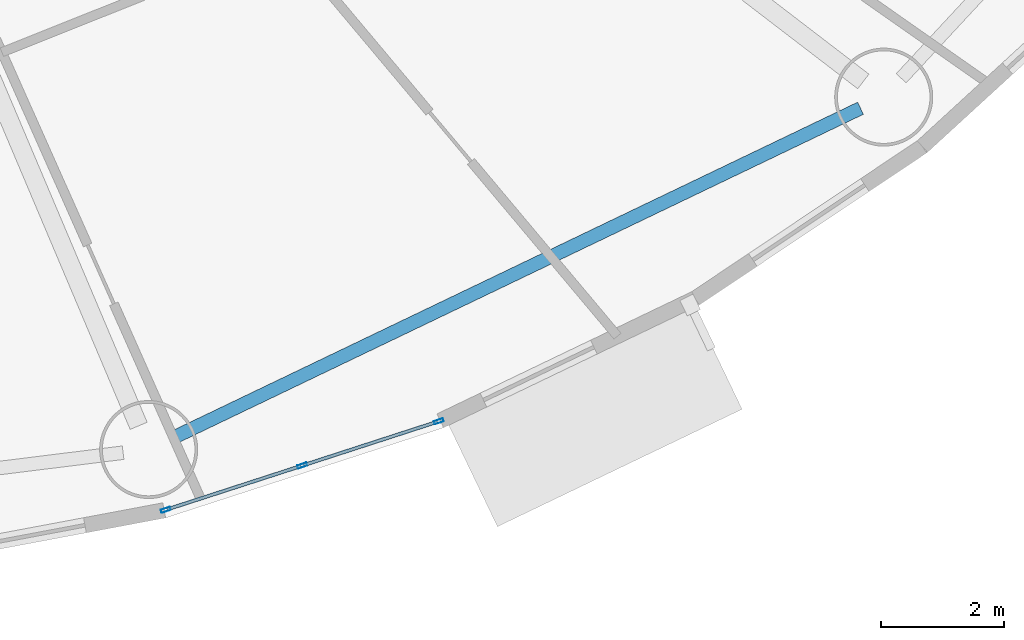
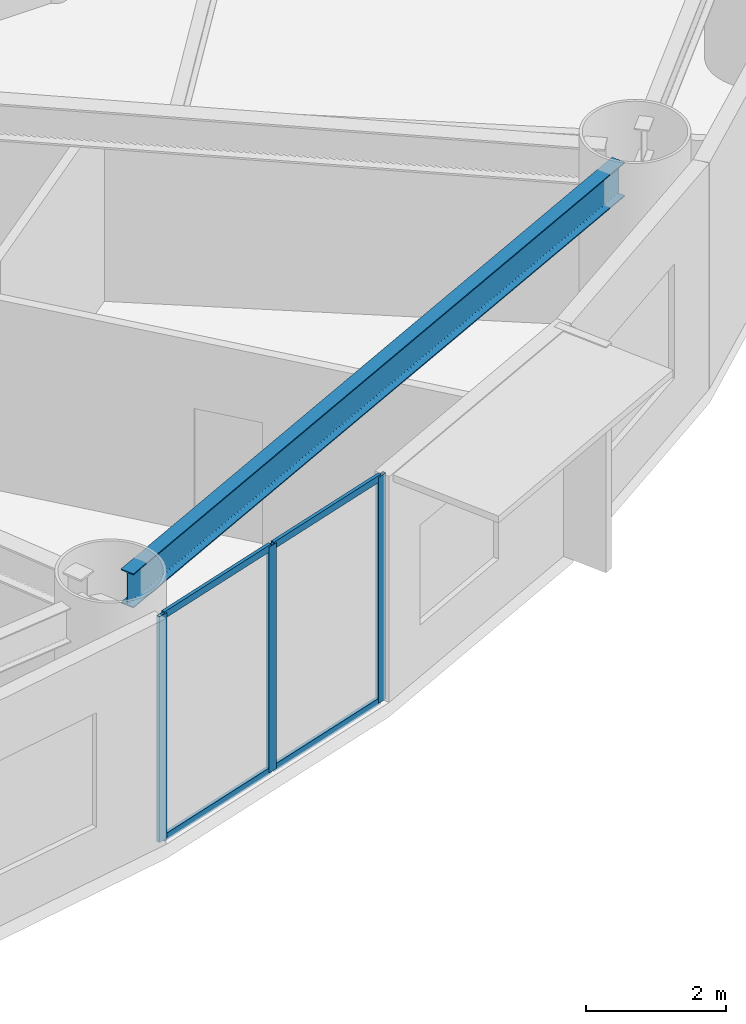
# One storey, part 6 of 28: 7 members, 1 beam, 1 element without a shape of its own.
"""IFC4 building model written with IfcOpenShell, lengths in metres."""

from ifc_helpers import new_model, si_unit, direction, frame, origin, origin_2d, place, context, subcontext, project, spatial, hollow_rectangle, i_section, extrude, source, transform, mapped, material, layer, layer_set, material_profile, profile_set, type_object, element, aggregate, save


model = new_model("IFC4")

# Units and contexts
model_context = context("Model", 3, precision=1e-05, world=origin(), true_north=direction((0.0, 1.0)))
body_context = subcontext(model_context, "Body", "Model", "MODEL_VIEW")
ifc_project = project(units=[si_unit("LENGTHUNIT", "METRE"), si_unit("AREAUNIT", "SQUARE_METRE"), si_unit("VOLUMEUNIT", "CUBIC_METRE"), si_unit("PLANEANGLEUNIT", "RADIAN"), si_unit("MASSUNIT", "GRAM", prefix="KILO")], contexts=[model_context])

# Site, building, storey
site_placement = place(None, origin())
site = spatial("IfcSite", under=ifc_project, at=site_placement, CompositionType="ELEMENT")
building_placement = place(site_placement, origin())
building = spatial("IfcBuilding", under=site, at=building_placement, Name="Linh Dai School and Residence Tower", CompositionType="ELEMENT")
storey_placement = place(building_placement, frame((0.0, 0.0, 36.60009765625)))
storey = spatial("IfcBuildingStorey", under=building, at=storey_placement, Name="L08", CompositionType="ELEMENT", Elevation=36.60009765625)

# Beam
ifc_material_1 = material(Name="Structural Steel S355JR", Category="steel")
ifc_material_profile_1 = material_profile(ifc_material_1, i_section(OverallWidth=0.219970703125, OverallDepth=0.60009765625, WebThickness=0.011962890625, FlangeThickness=0.01904296875, FilletRadius=0.02392578125, at=origin_2d()), Name="IPE 600")
ifc_profile_set_1 = profile_set([ifc_material_profile_1], Name="Structural Steel S355JR")
beam_type = type_object("IfcBeamType", Name="BM-RB60", PredefinedType="BEAM", material=ifc_profile_set_1)
beam_placement = place(storey_placement, frame((45.736572265625, 5.061767578125, 3.64990234375), z_axis=(0.901728693485, 0.432302398034, 0.0), x_axis=(-0.432302398034, 0.901728693485, 0.0)))
element("IfcBeam", 1, at=beam_placement, inside=storey, type_object=beam_type, Name="L08 Perimeter Elliptical Ring Beam 14", PredefinedType="BEAM", context=body_context, shape_type="SweptSolid", body=[
    extrude(i_section(OverallWidth=0.219970703125, OverallDepth=0.60009765625, WebThickness=0.011962890625, FlangeThickness=0.01904296875, FilletRadius=0.02392578125, at=origin_2d()), origin(), (0.0, 0.0, 1.0), 12.462158203125),
])

# Curtain wall, members
ifc_material_2 = material(Name="Aluminium Anodised Curtain Wall", Category="aluminium")
ifc_layer = layer(ifc_material_2, 0.159912109375)
ifc_layer_set = layer_set([ifc_layer], Name="Aluminium Anodised Curtain Wall")
curtain_wall_type = type_object("IfcCurtainWallType", Name="CW-SYS-3", PredefinedType="USERDEFINED", material=ifc_layer_set)
curtain_wall_placement = place(storey_placement, origin())
curtain_wall = element("IfcCurtainWall", 2, at=curtain_wall_placement, inside=storey, type_object=curtain_wall_type, Name="L08 CW3 Curtain Wall 33", ObjectType="RIBBON CURTAIN WALL", PredefinedType="USERDEFINED")
ifc_material_3 = material(Name="Aluminium Alloy 6063-T6", Category="aluminium")
ifc_material_profile_2 = material_profile(ifc_material_3, hollow_rectangle(XDim=0.054931640625, YDim=0.1201171875, WallThickness=0.00390625, at=origin_2d()), Name="RHS 120x55x4")
ifc_profile_set_2 = profile_set([ifc_material_profile_2], Name="Aluminium Alloy 6063-T6")
member_type_1 = type_object("IfcMemberType", Name="CW-SYS-3-TRN", PredefinedType="USERDEFINED", material=ifc_profile_set_2)
shared_shape_1 = source(origin(), body_context, "Body", "SweptSolid", [
    extrude(hollow_rectangle(XDim=0.054931640625, YDim=0.1201171875, WallThickness=0.00390625, at=origin_2d()), origin(), (0.0, 0.0, 1.0), 2.286865234375),
])
member_1_placement = place(storey_placement, frame((50.06591796875, 5.331787109375, 0.02734375), z_axis=(-0.951214351328, -0.308530805313, 0.0), x_axis=(0.308530805313, -0.951214351328, 0.0)))
member_1 = element("IfcMember", 3, at=member_1_placement, type_object=member_type_1, Name="CW3 transom 1.1", ObjectType="TRANSOM", PredefinedType="USERDEFINED", context=body_context, shape_type="MappedRepresentation", body=[
    mapped(shared_shape_1, transform((0.0, 0.0, 0.0), x_axis=(1.0, 0.0, 0.0), y_axis=(0.0, 1.0, 0.0), z_axis=(0.0, 0.0, 1.0), scale=1.0)),
])
member_2_placement = place(storey_placement, frame((50.06591796875, 5.331787109375, 3.92236328125), z_axis=(-0.951214351328, -0.308530805313, 0.0), x_axis=(0.308530805313, -0.951214351328, 0.0)))
member_2 = element("IfcMember", 4, at=member_2_placement, type_object=member_type_1, Name="CW3 transom 1.2", ObjectType="TRANSOM", PredefinedType="USERDEFINED", context=body_context, shape_type="MappedRepresentation", body=[
    mapped(shared_shape_1, transform((0.0, 0.0, 0.0), x_axis=(1.0, 0.0, 0.0), y_axis=(0.0, 1.0, 0.0), z_axis=(0.0, 0.0, 1.0), scale=1.0)),
])
member_3_placement = place(storey_placement, frame((47.838134765625, 4.609375, 0.02734375), z_axis=(-0.951214351328, -0.308530805313, 0.0), x_axis=(0.308530805313, -0.951214351328, 0.0)))
member_3 = element("IfcMember", 5, at=member_3_placement, type_object=member_type_1, Name="CW3 transom 2.1", ObjectType="TRANSOM", PredefinedType="USERDEFINED", context=body_context, shape_type="MappedRepresentation", body=[
    mapped(shared_shape_1, transform((0.0, 0.0, 0.0), x_axis=(1.0, 0.0, 0.0), y_axis=(0.0, 1.0, 0.0), z_axis=(0.0, 0.0, 1.0), scale=1.0)),
])
member_4_placement = place(storey_placement, frame((47.838134765625, 4.609375, 3.92236328125), z_axis=(-0.951214351328, -0.308530805313, 0.0), x_axis=(0.308530805313, -0.951214351328, 0.0)))
member_4 = element("IfcMember", 6, at=member_4_placement, type_object=member_type_1, Name="CW3 transom 2.2", ObjectType="TRANSOM", PredefinedType="USERDEFINED", context=body_context, shape_type="MappedRepresentation", body=[
    mapped(shared_shape_1, transform((0.0, 0.0, 0.0), x_axis=(1.0, 0.0, 0.0), y_axis=(0.0, 1.0, 0.0), z_axis=(0.0, 0.0, 1.0), scale=1.0)),
])
ifc_material_profile_3 = material_profile(ifc_material_3, hollow_rectangle(XDim=0.054931640625, YDim=0.159912109375, WallThickness=0.00390625, at=origin_2d()), Name="RHS 160x55x4")
ifc_profile_set_3 = profile_set([ifc_material_profile_3], Name="Aluminium Alloy 6063-T6")
member_type_2 = type_object("IfcMemberType", Name="CW-SYS-3-MUL", PredefinedType="MULLION", material=ifc_profile_set_3)
shared_shape_2 = source(origin(), body_context, "Body", "SweptSolid", [
    extrude(hollow_rectangle(XDim=0.054931640625, YDim=0.159912109375, WallThickness=0.00390625, at=origin_2d()), origin(), (0.0, 0.0, 1.0), 3.949951171875),
])
member_5_placement = place(storey_placement, frame((50.092041015625, 5.34033203125, 0.0), z_axis=(0.0, 0.0, 1.0), x_axis=(0.308510993844, -0.951220777043, 0.0)))
member_5 = element("IfcMember", 7, at=member_5_placement, type_object=member_type_2, Name="CW3 mullion 1", PredefinedType="MULLION", context=body_context, shape_type="MappedRepresentation", body=[
    mapped(shared_shape_2, transform((0.0, 0.0, 0.0), x_axis=(1.0, 0.0, 0.0), y_axis=(0.0, 1.0, 0.0), z_axis=(0.0, 0.0, 1.0), scale=1.0)),
])
member_6_placement = place(storey_placement, frame((47.8642578125, 4.617919921875, 0.0), z_axis=(0.0, 0.0, 1.0), x_axis=(0.308510993844, -0.951220777043, 0.0)))
member_6 = element("IfcMember", 8, at=member_6_placement, type_object=member_type_2, Name="CW3 mullion 2", PredefinedType="MULLION", context=body_context, shape_type="MappedRepresentation", body=[
    mapped(shared_shape_2, transform((0.0, 0.0, 0.0), x_axis=(1.0, 0.0, 0.0), y_axis=(0.0, 1.0, 0.0), z_axis=(0.0, 0.0, 1.0), scale=1.0)),
])
member_7_placement = place(storey_placement, frame((45.63671875, 3.895263671875, 0.0), z_axis=(0.0, 0.0, 1.0), x_axis=(0.308510993844, -0.951220777043, 0.0)))
member_7 = element("IfcMember", 9, at=member_7_placement, type_object=member_type_2, Name="CW3 mullion 3", PredefinedType="MULLION", context=body_context, shape_type="MappedRepresentation", body=[
    mapped(shared_shape_2, transform((0.0, 0.0, 0.0), x_axis=(1.0, 0.0, 0.0), y_axis=(0.0, 1.0, 0.0), z_axis=(0.0, 0.0, 1.0), scale=1.0)),
])
aggregate(curtain_wall, [member_5, member_6, member_7, member_1, member_2, member_3, member_4])

save(model, "model.ifc")
